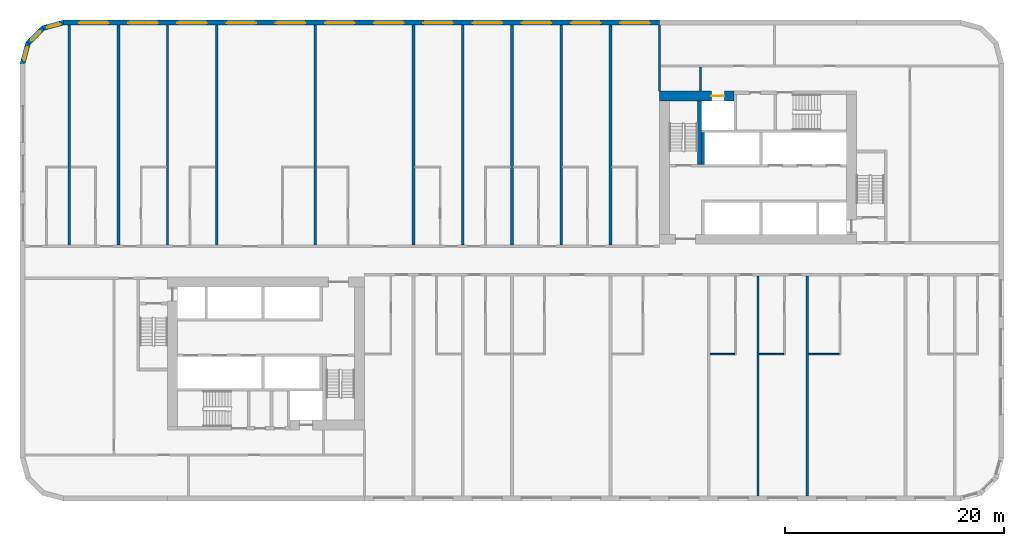
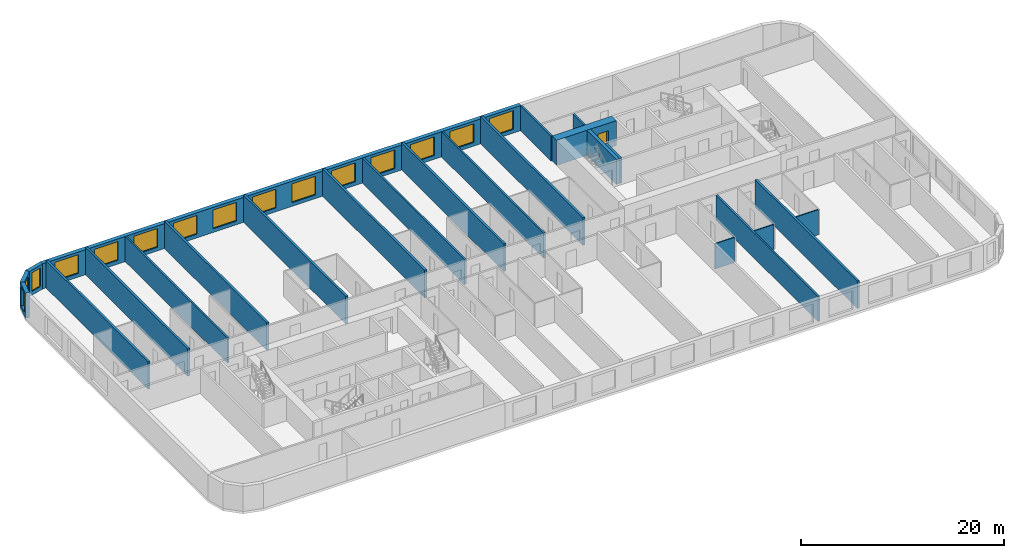
# One storey, part 6 of 12: 24 walls, 15 windows, 1 door, 16 openings.
"""IFC4 building model written with IfcOpenShell, lengths in metres."""

from ifc_helpers import new_model, si_unit, direction, frame, frame_2d, origin, place, context, subcontext, project, spatial, polyline, rectangle, outline, extrude, material, layer, layer_set, type_object, element, fill, save


model = new_model("IFC4")

# Units and contexts
model_context = context("Model", 3, precision=1e-05, world=origin(), true_north=direction((0.0, 1.0)))
body_context = subcontext(model_context, "Body", "Model", "MODEL_VIEW")
ifc_project = project(units=[si_unit("LENGTHUNIT", "METRE"), si_unit("AREAUNIT", "SQUARE_METRE"), si_unit("VOLUMEUNIT", "CUBIC_METRE"), si_unit("PLANEANGLEUNIT", "RADIAN"), si_unit("MASSUNIT", "GRAM", prefix="KILO")], contexts=[model_context])

# Site, building, storey
site_placement = place(None, origin())
site = spatial("IfcSite", under=ifc_project, at=site_placement, CompositionType="ELEMENT")
building_placement = place(site_placement, origin())
building = spatial("IfcBuilding", under=site, at=building_placement, Name="Kajstack Hotel Tower", CompositionType="ELEMENT")
storey_placement = place(building_placement, frame((0.0, 0.0, 73.199951171875)))
storey = spatial("IfcBuildingStorey", under=building, at=storey_placement, Name="L13", CompositionType="ELEMENT", Elevation=73.199951171875)

# Wall, opening, door
ifc_material_1 = material(Name="Concrete C60/75", Category="concrete")
ifc_layer_1 = layer(ifc_material_1, 0.89990234375)
ifc_layer_set_1 = layer_set([ifc_layer_1], Name="Core wall 900")
wall_type_1 = type_object("IfcWallType", Name="Core wall 900", PredefinedType="SHEAR", material=ifc_layer_set_1)
wall_1_placement = place(storey_placement, frame((13.5, 15.050048828125, 0.0), z_axis=(0.0, 0.0, 1.0), x_axis=(1.0, 0.0, 0.0)))
wall_1 = element("IfcWall", 1, at=wall_1_placement, inside=storey, type_object=wall_type_1, Name="Core wall E RS", PredefinedType="SHEAR", context=body_context, shape_type="SweptSolid", body=[
    extrude(rectangle(XDim=6.800048828125, YDim=0.89990234375, at=frame_2d((3.39990234375, 0.0))), origin(), (0.0, 0.0, 1.0), 3.02001953125),
])
opening_1_placement = place(wall_1_placement, frame((4.72509765625, 0.0, 0.0)))
opening_1 = element("IfcOpeningElement", 2, at=opening_1_placement, cuts=wall_1, Name="Opening LD-SV2", PredefinedType="OPENING", context=body_context, shape_type="SweptSolid", body=[
    extrude(rectangle(XDim=1.199951171875, YDim=2.10009765625, at=frame_2d((0.60009765625, 1.050048828125))), frame((0.0, 0.4599609375, 0.0), z_axis=(0.0, -1.0, 0.0), x_axis=(1.0, 0.0, 0.0)), (0.0, 0.0, 1.0), 0.919921875),
])
ifc_material_2 = material(Name="Stainless steel", Category="steel")
door_type = type_object("IfcDoorType", Name="Lift landing door 1200", OperationType="SLIDING_TO_LEFT", PredefinedType="DOOR", material=ifc_material_2)
door_placement = place(opening_1_placement, origin())
door = element("IfcDoor", 3, at=door_placement, inside=storey, type_object=door_type, Name="Landing door SV2", OperationType="SLIDING_TO_LEFT", OverallHeight=2.10009765625, OverallWidth=1.199951171875, PredefinedType="DOOR", context=body_context, shape_type="SweptSolid", body=[
    extrude(rectangle(XDim=1.199951171875, YDim=2.10009765625, at=frame_2d((0.60009765625, 1.050048828125))), frame((0.0, 0.02490234375, 0.0), z_axis=(0.0, -1.0, 0.0), x_axis=(1.0, 0.0, 0.0)), (0.0, 0.0, 1.0), 0.050048828125),
])
fill(opening_1, door)

# Walls
ifc_material_3 = material(Name="Twin-frame gypsum board on steel studs, mineral wool", Category="steel")
ifc_layer_2 = layer(ifc_material_3, 0.199951171875)
ifc_layer_set_2 = layer_set([ifc_layer_2], Name="Demising wall 200")
wall_type_2 = type_object("IfcWallType", Name="Demising wall 200", PredefinedType="PARTITIONING", material=ifc_layer_set_2)
wall_2_placement = place(storey_placement, frame((13.5, 15.5, 0.0), z_axis=(0.0, 0.0, 1.0), x_axis=(0.0, 1.0, 0.0)))
element("IfcWall", 4, at=wall_2_placement, inside=storey, type_object=wall_type_2, Name="G-wall-L13-001", PredefinedType="PARTITIONING", context=body_context, shape_type="SweptSolid", body=[
    extrude(rectangle(XDim=6.050048828125, YDim=0.199951171875, at=frame_2d((3.02490234375, 0.0))), origin(), (0.0, 0.0, 1.0), 3.02001953125),
])
for number, where, z_axis, x_axis, name in (
    (5, (-31.5, 1.39990234375, 0.0), (0.0, 0.0, 1.0), (0.0, 1.0, 0.0), "G-wall-L13-008"),
    (6, (-4.5, 1.39990234375, 0.0), (0.0, 0.0, 1.0), (0.0, 1.0, 0.0), "G-wall-L13-017"),
    (7, (4.5, 1.39990234375, 0.0), (0.0, 0.0, 1.0), (0.0, 1.0, 0.0), "G-wall-L13-022"),
    (8, (22.5, -21.550048828125, 0.0), (0.0, 0.0, 1.0), (0.0, 1.0, 0.0), "G-wall-L13-041"),
):
    element("IfcWall", number, at=place(storey_placement, frame(where, z_axis=z_axis, x_axis=x_axis)), inside=storey, type_object=wall_type_2, Name=name, PredefinedType="PARTITIONING", context=body_context, shape_type="SweptSolid", body=[
        extrude(rectangle(XDim=20.150146484375, YDim=0.199951171875, at=frame_2d((10.0751953125, 0.0))), origin(), (0.0, 0.0, 1.0), 3.02001953125),
    ])

# Wall, openings, windows
ifc_material_4 = material(Name="Terracotta-faced brick masonry", Category="masonry")
ifc_layer_3 = layer(ifc_material_4, 0.449951171875)
ifc_layer_set_3 = layer_set([ifc_layer_3], Name="EW-TERRA")
wall_type_3 = type_object("IfcWallType", Name="EW-TERRA", PredefinedType="SOLIDWALL", material=ifc_layer_set_3)
wall_3_placement = place(storey_placement, frame((13.5, 21.77490234375, 0.0), z_axis=(0.0, 0.0, 1.0), x_axis=(-1.0, 0.0, 0.0)))
wall_3 = element("IfcWall", 9, at=wall_3_placement, inside=storey, type_object=wall_type_3, Name="E-wall-L13-11-02", PredefinedType="SOLIDWALL", context=body_context, shape_type="SweptSolid", body=[
    extrude(rectangle(XDim=54.5, YDim=0.449951171875, at=frame_2d((27.25, 0.0))), origin(), (0.0, 0.0, 1.0), 3.02001953125),
])
opening_2_placement = place(wall_3_placement, frame((0.89990234375, 0.0, 0.449951171875)))
opening_2 = element("IfcOpeningElement", 10, at=opening_2_placement, cuts=wall_3, Name="Opening W1", PredefinedType="OPENING", context=body_context, shape_type="SweptSolid", body=[
    extrude(rectangle(XDim=2.699951171875, YDim=2.25, at=frame_2d((1.35009765625, 1.125))), frame((0.0, 0.23486328125, 0.0), z_axis=(0.0, -1.0, 0.0), x_axis=(1.0, 0.0, 0.0)), (0.0, 0.0, 1.0), 0.469970703125),
])
opening_3_placement = place(wall_3_placement, frame((5.39990234375, 0.0, 0.449951171875)))
opening_3 = element("IfcOpeningElement", 11, at=opening_3_placement, cuts=wall_3, Name="Opening W1", PredefinedType="OPENING", context=body_context, shape_type="SweptSolid", body=[
    extrude(rectangle(XDim=2.699951171875, YDim=2.25, at=frame_2d((1.35009765625, 1.125))), frame((0.0, 0.23486328125, 0.0), z_axis=(0.0, -1.0, 0.0), x_axis=(1.0, 0.0, 0.0)), (0.0, 0.0, 1.0), 0.469970703125),
])
opening_4_placement = place(wall_3_placement, frame((9.89990234375, 0.0, 0.449951171875)))
opening_4 = element("IfcOpeningElement", 12, at=opening_4_placement, cuts=wall_3, Name="Opening W1", PredefinedType="OPENING", context=body_context, shape_type="SweptSolid", body=[
    extrude(rectangle(XDim=2.699951171875, YDim=2.25, at=frame_2d((1.35009765625, 1.125))), frame((0.0, 0.23486328125, 0.0), z_axis=(0.0, -1.0, 0.0), x_axis=(1.0, 0.0, 0.0)), (0.0, 0.0, 1.0), 0.469970703125),
])
opening_5_placement = place(wall_3_placement, frame((14.39990234375, 0.0, 0.449951171875)))
opening_5 = element("IfcOpeningElement", 13, at=opening_5_placement, cuts=wall_3, Name="Opening W1", PredefinedType="OPENING", context=body_context, shape_type="SweptSolid", body=[
    extrude(rectangle(XDim=2.699951171875, YDim=2.25, at=frame_2d((1.35009765625, 1.125))), frame((0.0, 0.23486328125, 0.0), z_axis=(0.0, -1.0, 0.0), x_axis=(1.0, 0.0, 0.0)), (0.0, 0.0, 1.0), 0.469970703125),
])
opening_6_placement = place(wall_3_placement, frame((18.89990234375, 0.0, 0.449951171875)))
opening_6 = element("IfcOpeningElement", 14, at=opening_6_placement, cuts=wall_3, Name="Opening W1", PredefinedType="OPENING", context=body_context, shape_type="SweptSolid", body=[
    extrude(rectangle(XDim=2.699951171875, YDim=2.25, at=frame_2d((1.35009765625, 1.125))), frame((0.0, 0.23486328125, 0.0), z_axis=(0.0, -1.0, 0.0), x_axis=(1.0, 0.0, 0.0)), (0.0, 0.0, 1.0), 0.469970703125),
])
opening_7_placement = place(wall_3_placement, frame((23.39990234375, 0.0, 0.449951171875)))
opening_7 = element("IfcOpeningElement", 15, at=opening_7_placement, cuts=wall_3, Name="Opening W1", PredefinedType="OPENING", context=body_context, shape_type="SweptSolid", body=[
    extrude(rectangle(XDim=2.699951171875, YDim=2.25, at=frame_2d((1.35009765625, 1.125))), frame((0.0, 0.23486328125, 0.0), z_axis=(0.0, -1.0, 0.0), x_axis=(1.0, 0.0, 0.0)), (0.0, 0.0, 1.0), 0.469970703125),
])
opening_8_placement = place(wall_3_placement, frame((27.89990234375, 0.0, 0.449951171875)))
opening_8 = element("IfcOpeningElement", 16, at=opening_8_placement, cuts=wall_3, Name="Opening W1", PredefinedType="OPENING", context=body_context, shape_type="SweptSolid", body=[
    extrude(rectangle(XDim=2.699951171875, YDim=2.25, at=frame_2d((1.35009765625, 1.125))), frame((0.0, 0.23486328125, 0.0), z_axis=(0.0, -1.0, 0.0), x_axis=(1.0, 0.0, 0.0)), (0.0, 0.0, 1.0), 0.469970703125),
])
opening_9_placement = place(wall_3_placement, frame((32.39990234375, 0.0, 0.449951171875)))
opening_9 = element("IfcOpeningElement", 17, at=opening_9_placement, cuts=wall_3, Name="Opening W1", PredefinedType="OPENING", context=body_context, shape_type="SweptSolid", body=[
    extrude(rectangle(XDim=2.699951171875, YDim=2.25, at=frame_2d((1.35009765625, 1.125))), frame((0.0, 0.23486328125, 0.0), z_axis=(0.0, -1.0, 0.0), x_axis=(1.0, 0.0, 0.0)), (0.0, 0.0, 1.0), 0.469970703125),
])
opening_10_placement = place(wall_3_placement, frame((36.89990234375, 0.0, 0.449951171875)))
opening_10 = element("IfcOpeningElement", 18, at=opening_10_placement, cuts=wall_3, Name="Opening W1", PredefinedType="OPENING", context=body_context, shape_type="SweptSolid", body=[
    extrude(rectangle(XDim=2.699951171875, YDim=2.25, at=frame_2d((1.35009765625, 1.125))), frame((0.0, 0.23486328125, 0.0), z_axis=(0.0, -1.0, 0.0), x_axis=(1.0, 0.0, 0.0)), (0.0, 0.0, 1.0), 0.469970703125),
])
opening_11_placement = place(wall_3_placement, frame((41.39990234375, 0.0, 0.449951171875)))
opening_11 = element("IfcOpeningElement", 19, at=opening_11_placement, cuts=wall_3, Name="Opening W1", PredefinedType="OPENING", context=body_context, shape_type="SweptSolid", body=[
    extrude(rectangle(XDim=2.699951171875, YDim=2.25, at=frame_2d((1.35009765625, 1.125))), frame((0.0, 0.23486328125, 0.0), z_axis=(0.0, -1.0, 0.0), x_axis=(1.0, 0.0, 0.0)), (0.0, 0.0, 1.0), 0.469970703125),
])
opening_12_placement = place(wall_3_placement, frame((45.89990234375, 0.0, 0.449951171875)))
opening_12 = element("IfcOpeningElement", 20, at=opening_12_placement, cuts=wall_3, Name="Opening W1", PredefinedType="OPENING", context=body_context, shape_type="SweptSolid", body=[
    extrude(rectangle(XDim=2.699951171875, YDim=2.25, at=frame_2d((1.35009765625, 1.125))), frame((0.0, 0.23486328125, 0.0), z_axis=(0.0, -1.0, 0.0), x_axis=(1.0, 0.0, 0.0)), (0.0, 0.0, 1.0), 0.469970703125),
])
opening_13_placement = place(wall_3_placement, frame((50.39990234375, 0.0, 0.449951171875)))
opening_13 = element("IfcOpeningElement", 21, at=opening_13_placement, cuts=wall_3, Name="Opening W1", PredefinedType="OPENING", context=body_context, shape_type="SweptSolid", body=[
    extrude(rectangle(XDim=2.699951171875, YDim=2.25, at=frame_2d((1.35009765625, 1.125))), frame((0.0, 0.23486328125, 0.0), z_axis=(0.0, -1.0, 0.0), x_axis=(1.0, 0.0, 0.0)), (0.0, 0.0, 1.0), 0.469970703125),
])
ifc_material_5 = material(Name="Timber-aluminium window, triple glazed", Category="wood")
window_type_1 = type_object("IfcWindowType", Name="WG1", PartitioningType="SINGLE_PANEL", PredefinedType="WINDOW", material=ifc_material_5)
window_1_placement = place(opening_2_placement, origin())
window_1 = element("IfcWindow", 22, at=window_1_placement, inside=storey, type_object=window_type_1, Name="Window W1 L13-11", OverallHeight=2.25, OverallWidth=2.699951171875, PartitioningType="SINGLE_PANEL", PredefinedType="WINDOW", context=body_context, shape_type="SweptSolid", body=[
    extrude(rectangle(XDim=2.699951171875, YDim=2.25, at=frame_2d((1.35009765625, 1.125))), frame((0.0, 0.090087890625, 0.0), z_axis=(0.0, -1.0, 0.0), x_axis=(1.0, 0.0, 0.0)), (0.0, 0.0, 1.0), 0.06005859375),
])
fill(opening_2, window_1)
window_2_placement = place(opening_3_placement, origin())
window_2 = element("IfcWindow", 23, at=window_2_placement, inside=storey, type_object=window_type_1, Name="Window W1 L13-11", OverallHeight=2.25, OverallWidth=2.699951171875, PartitioningType="SINGLE_PANEL", PredefinedType="WINDOW", context=body_context, shape_type="SweptSolid", body=[
    extrude(rectangle(XDim=2.699951171875, YDim=2.25, at=frame_2d((1.35009765625, 1.125))), frame((0.0, 0.090087890625, 0.0), z_axis=(0.0, -1.0, 0.0), x_axis=(1.0, 0.0, 0.0)), (0.0, 0.0, 1.0), 0.06005859375),
])
fill(opening_3, window_2)
window_3_placement = place(opening_4_placement, origin())
window_3 = element("IfcWindow", 24, at=window_3_placement, inside=storey, type_object=window_type_1, Name="Window W1 L13-11", OverallHeight=2.25, OverallWidth=2.699951171875, PartitioningType="SINGLE_PANEL", PredefinedType="WINDOW", context=body_context, shape_type="SweptSolid", body=[
    extrude(rectangle(XDim=2.699951171875, YDim=2.25, at=frame_2d((1.35009765625, 1.125))), frame((0.0, 0.090087890625, 0.0), z_axis=(0.0, -1.0, 0.0), x_axis=(1.0, 0.0, 0.0)), (0.0, 0.0, 1.0), 0.06005859375),
])
fill(opening_4, window_3)
window_4_placement = place(opening_5_placement, origin())
window_4 = element("IfcWindow", 25, at=window_4_placement, inside=storey, type_object=window_type_1, Name="Window W1 L13-11", OverallHeight=2.25, OverallWidth=2.699951171875, PartitioningType="SINGLE_PANEL", PredefinedType="WINDOW", context=body_context, shape_type="SweptSolid", body=[
    extrude(rectangle(XDim=2.699951171875, YDim=2.25, at=frame_2d((1.35009765625, 1.125))), frame((0.0, 0.090087890625, 0.0), z_axis=(0.0, -1.0, 0.0), x_axis=(1.0, 0.0, 0.0)), (0.0, 0.0, 1.0), 0.06005859375),
])
fill(opening_5, window_4)
window_5_placement = place(opening_6_placement, origin())
window_5 = element("IfcWindow", 26, at=window_5_placement, inside=storey, type_object=window_type_1, Name="Window W1 L13-11", OverallHeight=2.25, OverallWidth=2.699951171875, PartitioningType="SINGLE_PANEL", PredefinedType="WINDOW", context=body_context, shape_type="SweptSolid", body=[
    extrude(rectangle(XDim=2.699951171875, YDim=2.25, at=frame_2d((1.35009765625, 1.125))), frame((0.0, 0.090087890625, 0.0), z_axis=(0.0, -1.0, 0.0), x_axis=(1.0, 0.0, 0.0)), (0.0, 0.0, 1.0), 0.06005859375),
])
fill(opening_6, window_5)
window_6_placement = place(opening_7_placement, origin())
window_6 = element("IfcWindow", 27, at=window_6_placement, inside=storey, type_object=window_type_1, Name="Window W1 L13-11", OverallHeight=2.25, OverallWidth=2.699951171875, PartitioningType="SINGLE_PANEL", PredefinedType="WINDOW", context=body_context, shape_type="SweptSolid", body=[
    extrude(rectangle(XDim=2.699951171875, YDim=2.25, at=frame_2d((1.35009765625, 1.125))), frame((0.0, 0.090087890625, 0.0), z_axis=(0.0, -1.0, 0.0), x_axis=(1.0, 0.0, 0.0)), (0.0, 0.0, 1.0), 0.06005859375),
])
fill(opening_7, window_6)
window_7_placement = place(opening_8_placement, origin())
window_7 = element("IfcWindow", 28, at=window_7_placement, inside=storey, type_object=window_type_1, Name="Window W1 L13-11", OverallHeight=2.25, OverallWidth=2.699951171875, PartitioningType="SINGLE_PANEL", PredefinedType="WINDOW", context=body_context, shape_type="SweptSolid", body=[
    extrude(rectangle(XDim=2.699951171875, YDim=2.25, at=frame_2d((1.35009765625, 1.125))), frame((0.0, 0.090087890625, 0.0), z_axis=(0.0, -1.0, 0.0), x_axis=(1.0, 0.0, 0.0)), (0.0, 0.0, 1.0), 0.06005859375),
])
fill(opening_8, window_7)
window_8_placement = place(opening_9_placement, origin())
window_8 = element("IfcWindow", 29, at=window_8_placement, inside=storey, type_object=window_type_1, Name="Window W1 L13-11", OverallHeight=2.25, OverallWidth=2.699951171875, PartitioningType="SINGLE_PANEL", PredefinedType="WINDOW", context=body_context, shape_type="SweptSolid", body=[
    extrude(rectangle(XDim=2.699951171875, YDim=2.25, at=frame_2d((1.35009765625, 1.125))), frame((0.0, 0.090087890625, 0.0), z_axis=(0.0, -1.0, 0.0), x_axis=(1.0, 0.0, 0.0)), (0.0, 0.0, 1.0), 0.06005859375),
])
fill(opening_9, window_8)
window_9_placement = place(opening_10_placement, origin())
window_9 = element("IfcWindow", 30, at=window_9_placement, inside=storey, type_object=window_type_1, Name="Window W1 L13-11", OverallHeight=2.25, OverallWidth=2.699951171875, PartitioningType="SINGLE_PANEL", PredefinedType="WINDOW", context=body_context, shape_type="SweptSolid", body=[
    extrude(rectangle(XDim=2.699951171875, YDim=2.25, at=frame_2d((1.35009765625, 1.125))), frame((0.0, 0.090087890625, 0.0), z_axis=(0.0, -1.0, 0.0), x_axis=(1.0, 0.0, 0.0)), (0.0, 0.0, 1.0), 0.06005859375),
])
fill(opening_10, window_9)
window_10_placement = place(opening_11_placement, origin())
window_10 = element("IfcWindow", 31, at=window_10_placement, inside=storey, type_object=window_type_1, Name="Window W1 L13-11", OverallHeight=2.25, OverallWidth=2.699951171875, PartitioningType="SINGLE_PANEL", PredefinedType="WINDOW", context=body_context, shape_type="SweptSolid", body=[
    extrude(rectangle(XDim=2.699951171875, YDim=2.25, at=frame_2d((1.35009765625, 1.125))), frame((0.0, 0.090087890625, 0.0), z_axis=(0.0, -1.0, 0.0), x_axis=(1.0, 0.0, 0.0)), (0.0, 0.0, 1.0), 0.06005859375),
])
fill(opening_11, window_10)
window_11_placement = place(opening_12_placement, origin())
window_11 = element("IfcWindow", 32, at=window_11_placement, inside=storey, type_object=window_type_1, Name="Window W1 L13-11", OverallHeight=2.25, OverallWidth=2.699951171875, PartitioningType="SINGLE_PANEL", PredefinedType="WINDOW", context=body_context, shape_type="SweptSolid", body=[
    extrude(rectangle(XDim=2.699951171875, YDim=2.25, at=frame_2d((1.35009765625, 1.125))), frame((0.0, 0.090087890625, 0.0), z_axis=(0.0, -1.0, 0.0), x_axis=(1.0, 0.0, 0.0)), (0.0, 0.0, 1.0), 0.06005859375),
])
fill(opening_12, window_11)
window_12_placement = place(opening_13_placement, origin())
window_12 = element("IfcWindow", 33, at=window_12_placement, inside=storey, type_object=window_type_1, Name="Window W1 L13-11", OverallHeight=2.25, OverallWidth=2.699951171875, PartitioningType="SINGLE_PANEL", PredefinedType="WINDOW", context=body_context, shape_type="SweptSolid", body=[
    extrude(rectangle(XDim=2.699951171875, YDim=2.25, at=frame_2d((1.35009765625, 1.125))), frame((0.0, 0.090087890625, 0.0), z_axis=(0.0, -1.0, 0.0), x_axis=(1.0, 0.0, 0.0)), (0.0, 0.0, 1.0), 0.06005859375),
])
fill(opening_13, window_12)

# Wall, opening, window
wall_4_placement = place(storey_placement, frame((-40.941650390625, 21.78271484375, 0.0), z_axis=(0.0, 0.0, 1.0), x_axis=(-0.965926999034, -0.25881466832, 0.0)))
wall_4 = element("IfcWall", 34, at=wall_4_placement, inside=storey, type_object=wall_type_3, Name="E-wall-L13-12-00", PredefinedType="SOLIDWALL", context=body_context, shape_type="SweptSolid", body=[
    extrude(outline(polyline([(0.000244140625, -0.22509765625), (2.070556640625, -0.224853515625), (1.9501953125, 0.22509765625), (0.12060546875, 0.22509765625), (0.000244140625, -0.22509765625)])), origin(), (0.0, 0.0, 1.0), 3.02001953125),
])
opening_14_placement = place(wall_4_placement, frame((0.435302734375, 0.0, 0.449951171875)))
opening_14 = element("IfcOpeningElement", 35, at=opening_14_placement, cuts=wall_4, Name="Opening W3", PredefinedType="OPENING", context=body_context, shape_type="SweptSolid", body=[
    extrude(rectangle(XDim=1.199951171875, YDim=2.25, at=frame_2d((0.60009765625, 1.125))), frame((0.0, 0.23486328125, 0.0), z_axis=(0.0, -1.0, 0.0), x_axis=(1.0, 0.0, 0.0)), (0.0, 0.0, 1.0), 0.469970703125),
])
window_type_2 = type_object("IfcWindowType", Name="WG3", PartitioningType="SINGLE_PANEL", PredefinedType="WINDOW", material=ifc_material_5)
window_13_placement = place(opening_14_placement, origin())
window_13 = element("IfcWindow", 36, at=window_13_placement, inside=storey, type_object=window_type_2, Name="Window W3 L13-12", OverallHeight=2.25, OverallWidth=1.199951171875, PartitioningType="SINGLE_PANEL", PredefinedType="WINDOW", context=body_context, shape_type="SweptSolid", body=[
    extrude(rectangle(XDim=1.199951171875, YDim=2.25, at=frame_2d((0.60009765625, 1.125))), frame((0.0, 0.090087890625, 0.0), z_axis=(0.0, -1.0, 0.0), x_axis=(1.0, 0.0, 0.0)), (0.0, 0.0, 1.0), 0.06005859375),
])
fill(opening_14, window_13)

wall_5_placement = place(storey_placement, frame((-42.8408203125, 21.304931640625, 0.0), z_axis=(0.0, 0.0, 1.0), x_axis=(-0.707106781187, -0.707106781187, 0.0)))
wall_5 = element("IfcWall", 37, at=wall_5_placement, inside=storey, type_object=wall_type_3, Name="E-wall-L13-13-00", PredefinedType="SOLIDWALL", context=body_context, shape_type="SweptSolid", body=[
    extrude(outline(polyline([(0.0, -0.22509765625), (2.070556640625, -0.22509765625), (1.949951171875, 0.224853515625), (0.12060546875, 0.224853515625), (0.0, -0.22509765625)])), origin(), (0.0, 0.0, 1.0), 3.02001953125),
])
opening_15_placement = place(wall_5_placement, frame((0.435302734375, 0.0, 0.449951171875)))
opening_15 = element("IfcOpeningElement", 38, at=opening_15_placement, cuts=wall_5, Name="Opening W3", PredefinedType="OPENING", context=body_context, shape_type="SweptSolid", body=[
    extrude(rectangle(XDim=1.199951171875, YDim=2.25, at=frame_2d((0.60009765625, 1.125))), frame((0.0, 0.23486328125, 0.0), z_axis=(0.0, -1.0, 0.0), x_axis=(1.0, 0.0, 0.0)), (0.0, 0.0, 1.0), 0.469970703125),
])
window_14_placement = place(opening_15_placement, origin())
window_14 = element("IfcWindow", 39, at=window_14_placement, inside=storey, type_object=window_type_2, Name="Window W3 L13-13", OverallHeight=2.25, OverallWidth=1.199951171875, PartitioningType="SINGLE_PANEL", PredefinedType="WINDOW", context=body_context, shape_type="SweptSolid", body=[
    extrude(rectangle(XDim=1.199951171875, YDim=2.25, at=frame_2d((0.60009765625, 1.125))), frame((0.0, 0.090087890625, 0.0), z_axis=(0.0, -1.0, 0.0), x_axis=(1.0, 0.0, 0.0)), (0.0, 0.0, 1.0), 0.06005859375),
])
fill(opening_15, window_14)

wall_6_placement = place(storey_placement, frame((-44.246826171875, 19.941650390625, 0.0), z_axis=(0.0, 0.0, 1.0), x_axis=(-0.25881466832, -0.965926999034, 0.0)))
wall_6 = element("IfcWall", 40, at=wall_6_placement, inside=storey, type_object=wall_type_3, Name="E-wall-L13-14-00", PredefinedType="SOLIDWALL", context=body_context, shape_type="SweptSolid", body=[
    extrude(outline(polyline([(-0.000244140625, -0.224853515625), (2.0703125, -0.22509765625), (1.949951171875, 0.22509765625), (0.120361328125, 0.22509765625), (-0.000244140625, -0.224853515625)])), origin(), (0.0, 0.0, 1.0), 3.02001953125),
])
opening_16_placement = place(wall_6_placement, frame((0.435302734375, 0.0, 0.449951171875)))
opening_16 = element("IfcOpeningElement", 41, at=opening_16_placement, cuts=wall_6, Name="Opening W3", PredefinedType="OPENING", context=body_context, shape_type="SweptSolid", body=[
    extrude(rectangle(XDim=1.199951171875, YDim=2.25, at=frame_2d((0.60009765625, 1.125))), frame((0.0, 0.23486328125, 0.0), z_axis=(0.0, -1.0, 0.0), x_axis=(1.0, 0.0, 0.0)), (0.0, 0.0, 1.0), 0.469970703125),
])
window_15_placement = place(opening_16_placement, origin())
window_15 = element("IfcWindow", 42, at=window_15_placement, inside=storey, type_object=window_type_2, Name="Window W3 L13-14", OverallHeight=2.25, OverallWidth=1.199951171875, PartitioningType="SINGLE_PANEL", PredefinedType="WINDOW", context=body_context, shape_type="SweptSolid", body=[
    extrude(rectangle(XDim=1.199951171875, YDim=2.25, at=frame_2d((0.60009765625, 1.125))), frame((0.0, 0.090087890625, 0.0), z_axis=(0.0, -1.0, 0.0), x_axis=(1.0, 0.0, 0.0)), (0.0, 0.0, 1.0), 0.06005859375),
])
fill(opening_16, window_15)

# Walls
ifc_material_6 = material(Name="Gypsum board and tiled backer on steel studs", Category="steel")
ifc_layer_4 = layer(ifc_material_6, 0.125)
ifc_layer_set_4 = layer_set([ifc_layer_4], Name="En-suite wall 125")
wall_type_4 = type_object("IfcWallType", Name="En-suite wall 125", PredefinedType="PARTITIONING", material=ifc_layer_set_4)
for number, where, z_axis, x_axis, name in (
    (43, (18.125, -8.56201171875, 0.0), (0.0, 0.0, 1.0), (1.0, 0.0, 0.0), "G-wall-L13-043"),
    (44, (22.60009765625, -8.56201171875, 0.0), (0.0, 0.0, 1.0), (1.0, 0.0, 0.0), "G-wall-L13-045"),
):
    element("IfcWall", number, at=place(storey_placement, frame(where, z_axis=z_axis, x_axis=x_axis)), inside=storey, type_object=wall_type_4, Name=name, PredefinedType="PARTITIONING", context=body_context, shape_type="SweptSolid", body=[
        extrude(rectangle(XDim=2.25, YDim=0.125, at=frame_2d((1.125, 0.0))), origin(), (0.0, 0.0, 1.0), 3.02001953125),
    ])
wall_7_placement = place(storey_placement, frame((27.125, -8.56201171875, 0.0), z_axis=(0.0, 0.0, 1.0), x_axis=(1.0, 0.0, 0.0)))
element("IfcWall", 45, at=wall_7_placement, inside=storey, type_object=wall_type_4, Name="G-wall-L13-047", PredefinedType="PARTITIONING", context=body_context, shape_type="SweptSolid", body=[
    extrude(rectangle(XDim=2.800048828125, YDim=0.125, at=frame_2d((1.39990234375, 0.0))), origin(), (0.0, 0.0, 1.0), 3.02001953125),
])
ifc_layer_5 = layer(ifc_material_1, 0.25)
ifc_layer_set_5 = layer_set([ifc_layer_5], Name="RC cross wall 250 C60/75")
wall_type_5 = type_object("IfcWallType", Name="RC cross wall 250 C60/75", PredefinedType="SHEAR", material=ifc_layer_set_5)
for number, where, z_axis, x_axis, name in (
    (46, (-40.5, 1.39990234375, 0.0), (0.0, 0.0, 1.0), (0.0, 1.0, 0.0), "S-wall-L13-01"),
    (47, (-36.0, 1.39990234375, 0.0), (0.0, 0.0, 1.0), (0.0, 1.0, 0.0), "S-wall-L13-02"),
    (48, (-27.0, 1.39990234375, 0.0), (0.0, 0.0, 1.0), (0.0, 1.0, 0.0), "S-wall-L13-03"),
    (49, (-18.0, 1.39990234375, 0.0), (0.0, 0.0, 1.0), (0.0, 1.0, 0.0), "S-wall-L13-04"),
    (50, (-9.0, 1.39990234375, 0.0), (0.0, 0.0, 1.0), (0.0, 1.0, 0.0), "S-wall-L13-06"),
    (51, (0.0, 1.39990234375, 0.0), (0.0, 0.0, 1.0), (0.0, 1.0, 0.0), "S-wall-L13-08"),
    (52, (9.0, 1.39990234375, 0.0), (0.0, 0.0, 1.0), (0.0, 1.0, 0.0), "S-wall-L13-10"),
    (53, (27.0, -21.5400390625, 0.0), (0.0, 0.0, 1.0), (0.0, 1.0, 0.0), "S-wall-L13-12"),
):
    element("IfcWall", number, at=place(storey_placement, frame(where, z_axis=z_axis, x_axis=x_axis)), inside=storey, type_object=wall_type_5, Name=name, PredefinedType="SHEAR", context=body_context, shape_type="SweptSolid", body=[
        extrude(rectangle(XDim=20.14013671875, YDim=0.25, at=frame_2d((10.070068359375, 0.0))), origin(), (0.0, 0.0, 1.0), 3.300048828125),
    ])
ifc_material_7 = material(Name="Gypsum board on steel studs, mineral wool", Category="steel")
ifc_layer_6 = layer(ifc_material_7, 0.199951171875)
ifc_layer_set_6 = layer_set([ifc_layer_6], Name="Service partition 200")
wall_type_6 = type_object("IfcWallType", Name="Service partition 200", PredefinedType="PARTITIONING", material=ifc_layer_set_6)
wall_8_placement = place(storey_placement, frame((17.25, 15.5, 0.0), z_axis=(0.0, 0.0, 1.0), x_axis=(0.0, 1.0, 0.0)))
element("IfcWall", 54, at=wall_8_placement, inside=storey, type_object=wall_type_6, Name="Partition E SCE", PredefinedType="PARTITIONING", context=body_context, shape_type="SweptSolid", body=[
    extrude(rectangle(XDim=2.199951171875, YDim=0.199951171875, at=frame_2d((1.10009765625, 0.0))), origin(), (0.0, 0.0, 1.0), 3.02001953125),
])
ifc_material_8 = material(Name="Concrete C50/60", Category="concrete")
ifc_layer_7 = layer(ifc_material_8, 0.25)
ifc_layer_set_7 = layer_set([ifc_layer_7], Name="Shaft wall 250")
wall_type_7 = type_object("IfcWallType", Name="Shaft wall 250", PredefinedType="SHEAR", material=ifc_layer_set_7)
wall_9_placement = place(storey_placement, frame((17.47509765625, 8.800048828125, 0.0), z_axis=(0.0, 0.0, 1.0), x_axis=(0.0, 1.0, 0.0)))
element("IfcWall", 55, at=wall_9_placement, inside=storey, type_object=wall_type_7, Name="Core wall E BE", PredefinedType="SHEAR", context=body_context, shape_type="SweptSolid", body=[
    extrude(rectangle(XDim=2.89990234375, YDim=0.25, at=frame_2d((1.449951171875, 0.0))), origin(), (0.0, 0.0, 1.0), 3.02001953125),
])
ifc_layer_8 = layer(ifc_material_8, 0.39990234375)
ifc_layer_set_8 = layer_set([ifc_layer_8], Name="Stair wall 400")
wall_type_8 = type_object("IfcWallType", Name="Stair wall 400", PredefinedType="SHEAR", material=ifc_layer_set_8)
wall_10_placement = place(storey_placement, frame((17.14990234375, 8.800048828125, 0.0), z_axis=(0.0, 0.0, 1.0), x_axis=(0.0, 1.0, 0.0)))
element("IfcWall", 56, at=wall_10_placement, inside=storey, type_object=wall_type_8, Name="Core wall E WW2", PredefinedType="SHEAR", context=body_context, shape_type="SweptSolid", body=[
    extrude(rectangle(XDim=5.800048828125, YDim=0.39990234375, at=frame_2d((2.89990234375, 0.0))), origin(), (0.0, 0.0, 1.0), 3.02001953125),
])

save(model, "model.ifc")
